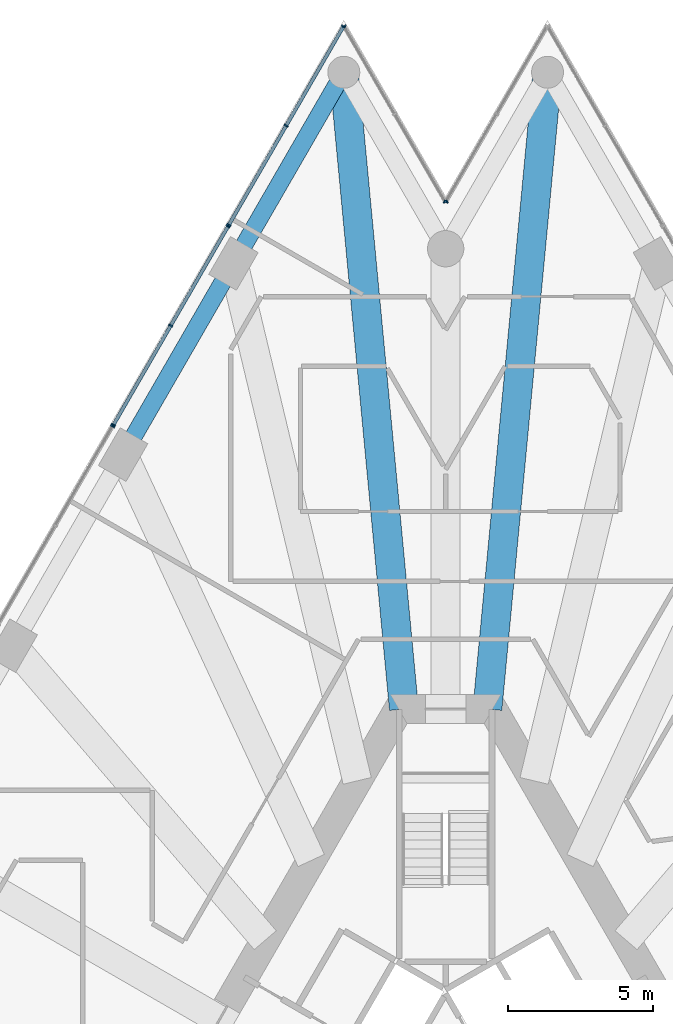
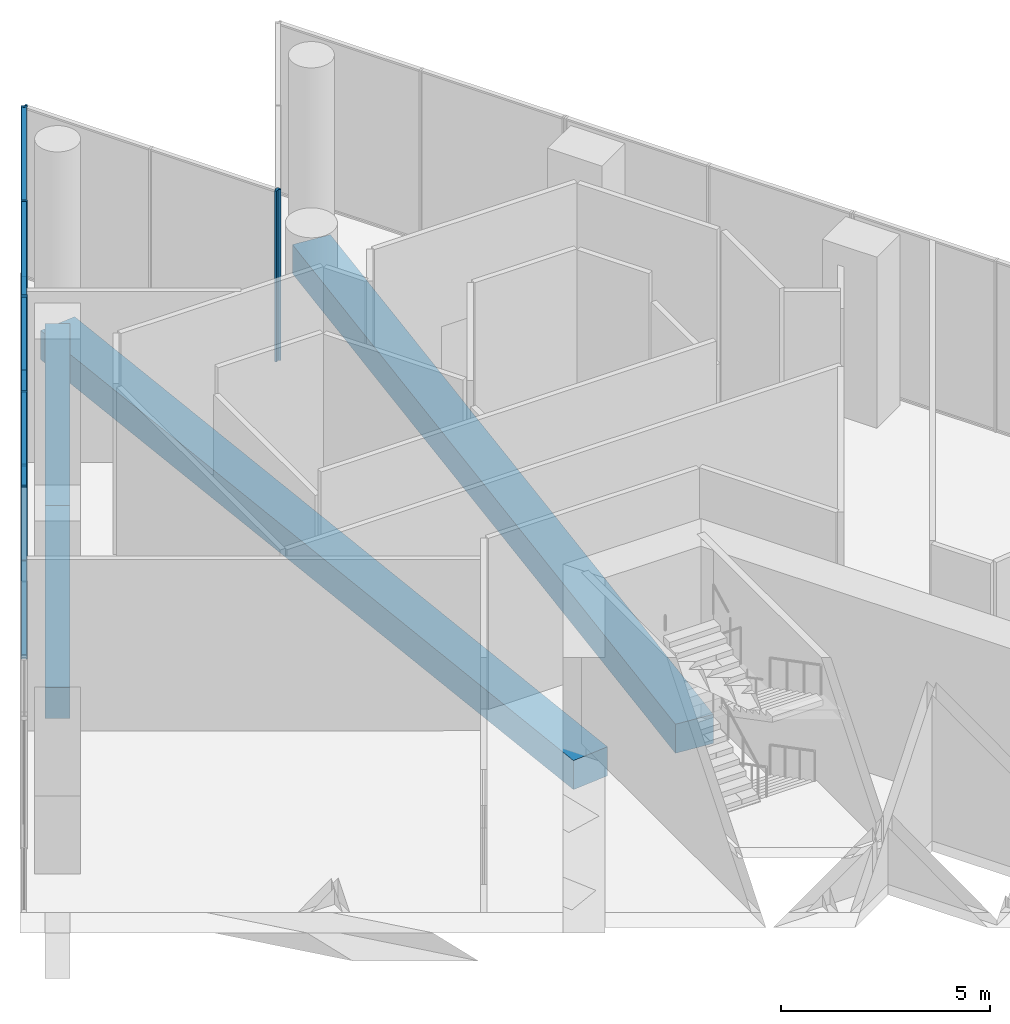
# One storey, part 17 of 29: 18 members, 4 beams, 5 elements without a shape of their own.
"""IFC4 building model written with IfcOpenShell, lengths in metres."""

from ifc_helpers import new_model, si_unit, direction, frame, origin, origin_2d, place, context, subcontext, project, spatial, rectangle, extrude, material, layer, layer_set, material_profile, profile_set, type_object, element, aggregate, save


model = new_model("IFC4")

# Units and contexts
model_context = context("Model", 3, precision=1e-05, world=origin(), true_north=direction((0.0, 1.0)))
body_context = subcontext(model_context, "Body", "Model", "MODEL_VIEW")
ifc_project = project(units=[si_unit("LENGTHUNIT", "METRE"), si_unit("AREAUNIT", "SQUARE_METRE"), si_unit("VOLUMEUNIT", "CUBIC_METRE"), si_unit("PLANEANGLEUNIT", "RADIAN"), si_unit("MASSUNIT", "GRAM", prefix="KILO")], contexts=[model_context])

# Site, building, storey
site_placement = place(None, origin())
site = spatial("IfcSite", under=ifc_project, at=site_placement, CompositionType="ELEMENT")
building_placement = place(site_placement, origin())
building = spatial("IfcBuilding", under=site, at=building_placement, Name="Triada Interchange Tower", CompositionType="ELEMENT")
storey_placement = place(building_placement, frame((0.0, 0.0, 19.89990234375)))
storey = spatial("IfcBuildingStorey", under=building, at=storey_placement, Name="L03", CompositionType="ELEMENT", Elevation=19.89990234375)

# Curtain wall, member
ifc_material_1 = material(Name="Aluminium framed glazing", Category="aluminium")
ifc_layer = layer(ifc_material_1, 0.199951171875)
ifc_layer_set = layer_set([ifc_layer], Name="Curtain wall Retail shopfront")
curtain_wall_type = type_object("IfcCurtainWallType", Name="Curtain wall Retail shopfront", PredefinedType="NOTDEFINED", material=ifc_layer_set)
curtain_wall_1_placement = place(storey_placement, origin())
curtain_wall_1 = element("IfcCurtainWall", 1, at=curtain_wall_1_placement, inside=storey, type_object=curtain_wall_type, Name="Retail shopfront CW021 L03", PredefinedType="NOTDEFINED")
ifc_material_2 = material(Name="Aluminium", Category="aluminium")
ifc_material_profile_1 = material_profile(ifc_material_2, rectangle(XDim=0.14990234375, YDim=0.050048828125, at=origin_2d()), Name="Aluminium mullion")
ifc_profile_set_1 = profile_set([ifc_material_profile_1], Name="Aluminium")
member_type_1 = type_object("IfcMemberType", Name="Mullion Retail shopfront 150x50", PredefinedType="MULLION", material=ifc_profile_set_1)
member_1_placement = place(storey_placement, frame((0.012451171875, 32.671630859375, 0.0), z_axis=(0.0, 0.0, 1.0), x_axis=(0.866050272896, -0.499956922962, 0.0)))
member_1 = element("IfcMember", 2, at=member_1_placement, type_object=member_type_1, Name="CW021 mullion 3", PredefinedType="MULLION", context=body_context, shape_type="SweptSolid", body=[
    extrude(rectangle(XDim=0.14990234375, YDim=0.050048828125, at=origin_2d()), origin(), (0.0, 0.0, 1.0), 5.0),
])
aggregate(curtain_wall_1, [member_1])

# Curtain wall, members
curtain_wall_2_placement = place(storey_placement, origin())
curtain_wall_2 = element("IfcCurtainWall", 3, at=curtain_wall_2_placement, inside=storey, type_object=curtain_wall_type, Name="Retail shopfront CW022 L03", PredefinedType="NOTDEFINED")
member_2_placement = place(storey_placement, frame((-0.012451171875, 32.671630859375, 0.0), z_axis=(0.0, 0.0, 1.0), x_axis=(-0.866050272896, -0.499956922962, 0.0)))
member_2 = element("IfcMember", 4, at=member_2_placement, type_object=member_type_1, Name="CW022 mullion 1", PredefinedType="MULLION", context=body_context, shape_type="SweptSolid", body=[
    extrude(rectangle(XDim=0.14990234375, YDim=0.050048828125, at=origin_2d()), origin(), (0.0, 0.0, 1.0), 5.0),
])
member_3_placement = place(storey_placement, frame((-3.494384765625, 38.703369140625, 0.0), z_axis=(0.0, 0.0, 1.0), x_axis=(-0.866050272896, -0.499956922962, 0.0)))
member_3 = element("IfcMember", 5, at=member_3_placement, type_object=member_type_1, Name="CW022 mullion 3", PredefinedType="MULLION", context=body_context, shape_type="SweptSolid", body=[
    extrude(rectangle(XDim=0.14990234375, YDim=0.050048828125, at=origin_2d()), origin(), (0.0, 0.0, 1.0), 5.0),
])
aggregate(curtain_wall_2, [member_2, member_3])

curtain_wall_3_placement = place(storey_placement, origin())
curtain_wall_3 = element("IfcCurtainWall", 6, at=curtain_wall_3_placement, inside=storey, type_object=curtain_wall_type, Name="Retail shopfront CW023 L03", PredefinedType="NOTDEFINED")
member_4_placement = place(storey_placement, frame((-3.51953125, 38.703369140625, 0.0), z_axis=(0.0, 0.0, 1.0), x_axis=(0.86604927658, -0.499958648825, 0.0)))
member_4 = element("IfcMember", 7, at=member_4_placement, type_object=member_type_1, Name="CW023 mullion 1", PredefinedType="MULLION", context=body_context, shape_type="SweptSolid", body=[
    extrude(rectangle(XDim=0.14990234375, YDim=0.050048828125, at=origin_2d()), origin(), (0.0, 0.0, 1.0), 5.0),
])
member_5_placement = place(storey_placement, frame((-5.491943359375, 35.28662109375, 0.0), z_axis=(0.0, 0.0, 1.0), x_axis=(0.86604927658, -0.499958648825, 0.0)))
member_5 = element("IfcMember", 8, at=member_5_placement, type_object=member_type_1, Name="CW023 mullion 2", PredefinedType="MULLION", context=body_context, shape_type="SweptSolid", body=[
    extrude(rectangle(XDim=0.14990234375, YDim=0.050048828125, at=origin_2d()), origin(), (0.0, 0.0, 1.0), 5.0),
])
member_6_placement = place(storey_placement, frame((-7.464599609375, 31.86962890625, 0.0), z_axis=(0.0, 0.0, 1.0), x_axis=(0.86604927658, -0.499958648825, 0.0)))
member_6 = element("IfcMember", 9, at=member_6_placement, type_object=member_type_1, Name="CW023 mullion 3", PredefinedType="MULLION", context=body_context, shape_type="SweptSolid", body=[
    extrude(rectangle(XDim=0.14990234375, YDim=0.050048828125, at=origin_2d()), origin(), (0.0, 0.0, 1.0), 5.0),
])

curtain_wall_4_placement = place(storey_placement, origin())
curtain_wall_4 = element("IfcCurtainWall", 10, at=curtain_wall_4_placement, inside=storey, type_object=curtain_wall_type, Name="Retail shopfront CW024 L03", PredefinedType="NOTDEFINED")
member_7_placement = place(storey_placement, frame((-7.49560546875, 31.8173828125, 0.0), z_axis=(0.0, 0.0, 1.0), x_axis=(0.866055473648, -0.499947913852, 0.0)))
member_7 = element("IfcMember", 11, at=member_7_placement, type_object=member_type_1, Name="CW024 mullion 1", PredefinedType="MULLION", context=body_context, shape_type="SweptSolid", body=[
    extrude(rectangle(XDim=0.14990234375, YDim=0.050048828125, at=origin_2d()), origin(), (0.0, 0.0, 1.0), 5.0),
])
member_8_placement = place(storey_placement, frame((-9.466552734375, 28.403076171875, 0.0), z_axis=(0.0, 0.0, 1.0), x_axis=(0.866055473648, -0.499947913852, 0.0)))
member_8 = element("IfcMember", 12, at=member_8_placement, type_object=member_type_1, Name="CW024 mullion 2", PredefinedType="MULLION", context=body_context, shape_type="SweptSolid", body=[
    extrude(rectangle(XDim=0.14990234375, YDim=0.050048828125, at=origin_2d()), origin(), (0.0, 0.0, 1.0), 5.0),
])
member_9_placement = place(storey_placement, frame((-11.4375, 24.98876953125, 0.0), z_axis=(0.0, 0.0, 1.0), x_axis=(0.866055473648, -0.499947913852, 0.0)))
member_9 = element("IfcMember", 13, at=member_9_placement, type_object=member_type_1, Name="CW024 mullion 3", PredefinedType="MULLION", context=body_context, shape_type="SweptSolid", body=[
    extrude(rectangle(XDim=0.14990234375, YDim=0.050048828125, at=origin_2d()), origin(), (0.0, 0.0, 1.0), 5.0),
])

# Curtain wall, member
curtain_wall_5_placement = place(storey_placement, origin())
curtain_wall_5 = element("IfcCurtainWall", 14, at=curtain_wall_5_placement, inside=storey, type_object=curtain_wall_type, Name="Retail shopfront CW025 L03", PredefinedType="NOTDEFINED")
member_10_placement = place(storey_placement, frame((-11.468505859375, 24.936279296875, 0.0), z_axis=(0.0, 0.0, 1.0), x_axis=(0.866055473648, -0.499947913852, 0.0)))
member_10 = element("IfcMember", 15, at=member_10_placement, type_object=member_type_1, Name="CW025 mullion 1", PredefinedType="MULLION", context=body_context, shape_type="SweptSolid", body=[
    extrude(rectangle(XDim=0.14990234375, YDim=0.050048828125, at=origin_2d()), origin(), (0.0, 0.0, 1.0), 5.0),
])
aggregate(curtain_wall_5, [member_10])

# Beams
ifc_material_3 = material(Name="Concrete C50/60", Category="concrete")
ifc_material_profile_2 = material_profile(ifc_material_3, rectangle(XDim=1.0, YDim=0.85009765625, at=origin_2d()), Name="RC 1000x850")
ifc_profile_set_2 = profile_set([ifc_material_profile_2], Name="Concrete C50/60")
beam_type_1 = type_object("IfcBeamType", Name="Radial band beam P RC 1000x850", PredefinedType="BEAM", material=ifc_profile_set_2)
for number, where, z_axis, x_axis, name in (
    (16, (-3.507080078125, 37.125, -0.824951171875), (0.094041597071, -0.99556826889, 0.0), (0.99556826889, 0.094041597071, 0.0), "Radial band beam BP01 L03"),
    (17, (3.507080078125, 37.125, -0.824951171875), (-0.094041597071, -0.99556826889, 0.0), (0.99556826889, -0.094041597071, 0.0), "Radial band beam BP29 L03"),
):
    element("IfcBeam", number, at=place(storey_placement, frame(where, z_axis=z_axis, x_axis=x_axis)), inside=storey, type_object=beam_type_1, Name=name, PredefinedType="BEAM", context=body_context, shape_type="SweptSolid", body=[
        extrude(rectangle(XDim=1.0, YDim=0.85009765625, at=origin_2d()), origin(), (0.0, 0.0, 1.0), 22.022705078125),
    ])
ifc_material_profile_3 = material_profile(ifc_material_3, rectangle(XDim=0.60009765625, YDim=0.89990234375, at=origin_2d()), Name="RC 600x900")
ifc_profile_set_3 = profile_set([ifc_material_profile_3], Name="Concrete C50/60")
beam_type_2 = type_object("IfcBeamType", Name="Spandrel beam P RC 600x900", PredefinedType="BEAM", material=ifc_profile_set_3)
beam_1_placement = place(storey_placement, frame((-3.507080078125, 37.125, -0.849853515625), z_axis=(-0.500022797313, -0.86601224135, 0.0), x_axis=(0.86601224135, -0.500022797313, 0.0)))
element("IfcBeam", 18, at=beam_1_placement, inside=storey, type_object=beam_type_2, Name="Spandrel beam EP01 L03", PredefinedType="BEAM", context=body_context, shape_type="SweptSolid", body=[
    extrude(rectangle(XDim=0.60009765625, YDim=0.89990234375, at=origin_2d()), origin(), (0.0, 0.0, 1.0), 7.599365234375),
])
beam_2_placement = place(storey_placement, frame((-7.306884765625, 30.5439453125, -0.849853515625), z_axis=(-0.499894869559, -0.866086092366, 0.0), x_axis=(0.866086092366, -0.499894869559, 0.0)))
element("IfcBeam", 19, at=beam_2_placement, inside=storey, type_object=beam_type_2, Name="Spandrel beam EP02 L03", PredefinedType="BEAM", context=body_context, shape_type="SweptSolid", body=[
    extrude(rectangle(XDim=0.60009765625, YDim=0.89990234375, at=origin_2d()), origin(), (0.0, 0.0, 1.0), 7.599853515625),
])

# Member
ifc_material_profile_4 = material_profile(ifc_material_2, rectangle(XDim=0.1201171875, YDim=0.050048828125, at=origin_2d()), Name="Aluminium transom")
ifc_profile_set_4 = profile_set([ifc_material_profile_4], Name="Aluminium")
member_type_2 = type_object("IfcMemberType", Name="Transom Retail shopfront 120x50", PredefinedType="USERDEFINED", material=ifc_profile_set_4)
member_11_placement = place(storey_placement, frame((-3.531982421875, 38.681640625, 0.025146484375), z_axis=(-0.499961171201, -0.866047820441, 0.0), x_axis=(0.866047820441, -0.499961171201, 0.0)))
member_11 = element("IfcMember", 20, at=member_11_placement, type_object=member_type_2, Name="CW023 transom 1.1", ObjectType="TRANSOM", PredefinedType="USERDEFINED", context=body_context, shape_type="SweptSolid", body=[
    extrude(rectangle(XDim=0.1201171875, YDim=0.050048828125, at=origin_2d()), origin(), (0.0, 0.0, 1.0), 3.895263671875),
])

member_12_placement = place(storey_placement, frame((-3.531982421875, 38.681640625, 4.97509765625), z_axis=(-0.499961171201, -0.866047820441, 0.0), x_axis=(0.866047820441, -0.499961171201, 0.0)))
member_12 = element("IfcMember", 21, at=member_12_placement, type_object=member_type_2, Name="CW023 transom 1.2", ObjectType="TRANSOM", PredefinedType="USERDEFINED", context=body_context, shape_type="SweptSolid", body=[
    extrude(rectangle(XDim=0.1201171875, YDim=0.050048828125, at=origin_2d()), origin(), (0.0, 0.0, 1.0), 3.895263671875),
])

member_13_placement = place(storey_placement, frame((-5.50439453125, 35.264892578125, 0.025146484375), z_axis=(-0.499961171201, -0.866047820441, 0.0), x_axis=(0.866047820441, -0.499961171201, 0.0)))
member_13 = element("IfcMember", 22, at=member_13_placement, type_object=member_type_2, Name="CW023 transom 2.1", ObjectType="TRANSOM", PredefinedType="USERDEFINED", context=body_context, shape_type="SweptSolid", body=[
    extrude(rectangle(XDim=0.1201171875, YDim=0.050048828125, at=origin_2d()), origin(), (0.0, 0.0, 1.0), 3.895263671875),
])

member_14_placement = place(storey_placement, frame((-5.50439453125, 35.264892578125, 4.97509765625), z_axis=(-0.499961171201, -0.866047820441, 0.0), x_axis=(0.866047820441, -0.499961171201, 0.0)))
member_14 = element("IfcMember", 23, at=member_14_placement, type_object=member_type_2, Name="CW023 transom 2.2", ObjectType="TRANSOM", PredefinedType="USERDEFINED", context=body_context, shape_type="SweptSolid", body=[
    extrude(rectangle(XDim=0.1201171875, YDim=0.050048828125, at=origin_2d()), origin(), (0.0, 0.0, 1.0), 3.895263671875),
])

aggregate(curtain_wall_3, [member_4, member_5, member_6, member_11, member_12, member_13, member_14])

member_15_placement = place(storey_placement, frame((-7.508056640625, 31.795654296875, 0.025146484375), z_axis=(-0.499950487857, -0.866053987747, 0.0), x_axis=(0.866053987747, -0.499950487857, 0.0)))
member_15 = element("IfcMember", 24, at=member_15_placement, type_object=member_type_2, Name="CW024 transom 1.1", ObjectType="TRANSOM", PredefinedType="USERDEFINED", context=body_context, shape_type="SweptSolid", body=[
    extrude(rectangle(XDim=0.1201171875, YDim=0.050048828125, at=origin_2d()), origin(), (0.0, 0.0, 1.0), 3.892578125),
])

member_16_placement = place(storey_placement, frame((-7.508056640625, 31.795654296875, 4.97509765625), z_axis=(-0.499950487857, -0.866053987747, 0.0), x_axis=(0.866053987747, -0.499950487857, 0.0)))
member_16 = element("IfcMember", 25, at=member_16_placement, type_object=member_type_2, Name="CW024 transom 1.2", ObjectType="TRANSOM", PredefinedType="USERDEFINED", context=body_context, shape_type="SweptSolid", body=[
    extrude(rectangle(XDim=0.1201171875, YDim=0.050048828125, at=origin_2d()), origin(), (0.0, 0.0, 1.0), 3.892578125),
])

member_17_placement = place(storey_placement, frame((-9.47900390625, 28.38134765625, 0.025146484375), z_axis=(-0.499950487857, -0.866053987747, 0.0), x_axis=(0.866053987747, -0.499950487857, 0.0)))
member_17 = element("IfcMember", 26, at=member_17_placement, type_object=member_type_2, Name="CW024 transom 2.1", ObjectType="TRANSOM", PredefinedType="USERDEFINED", context=body_context, shape_type="SweptSolid", body=[
    extrude(rectangle(XDim=0.1201171875, YDim=0.050048828125, at=origin_2d()), origin(), (0.0, 0.0, 1.0), 3.892578125),
])

member_18_placement = place(storey_placement, frame((-9.47900390625, 28.38134765625, 4.97509765625), z_axis=(-0.499950487857, -0.866053987747, 0.0), x_axis=(0.866053987747, -0.499950487857, 0.0)))
member_18 = element("IfcMember", 27, at=member_18_placement, type_object=member_type_2, Name="CW024 transom 2.2", ObjectType="TRANSOM", PredefinedType="USERDEFINED", context=body_context, shape_type="SweptSolid", body=[
    extrude(rectangle(XDim=0.1201171875, YDim=0.050048828125, at=origin_2d()), origin(), (0.0, 0.0, 1.0), 3.892578125),
])

aggregate(curtain_wall_4, [member_7, member_8, member_9, member_15, member_16, member_17, member_18])

save(model, "model.ifc")
